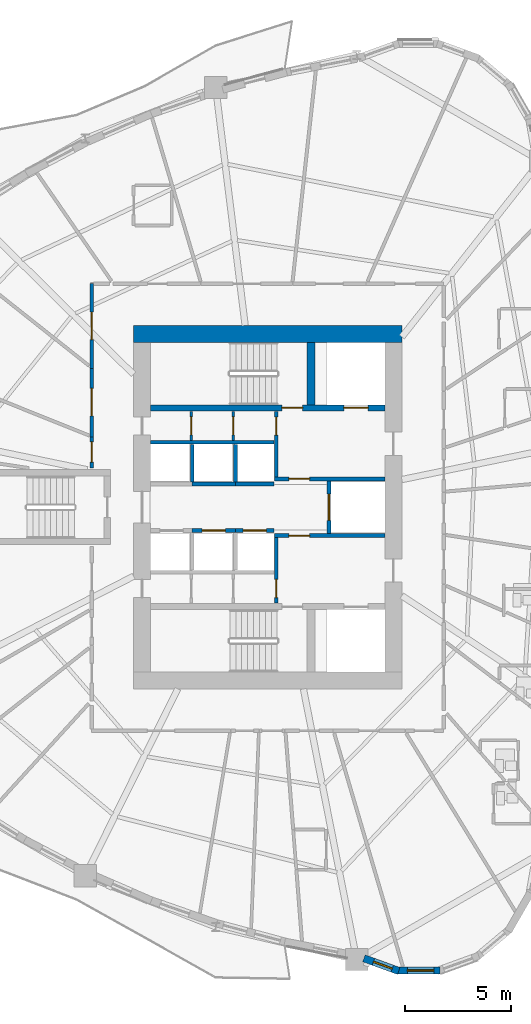
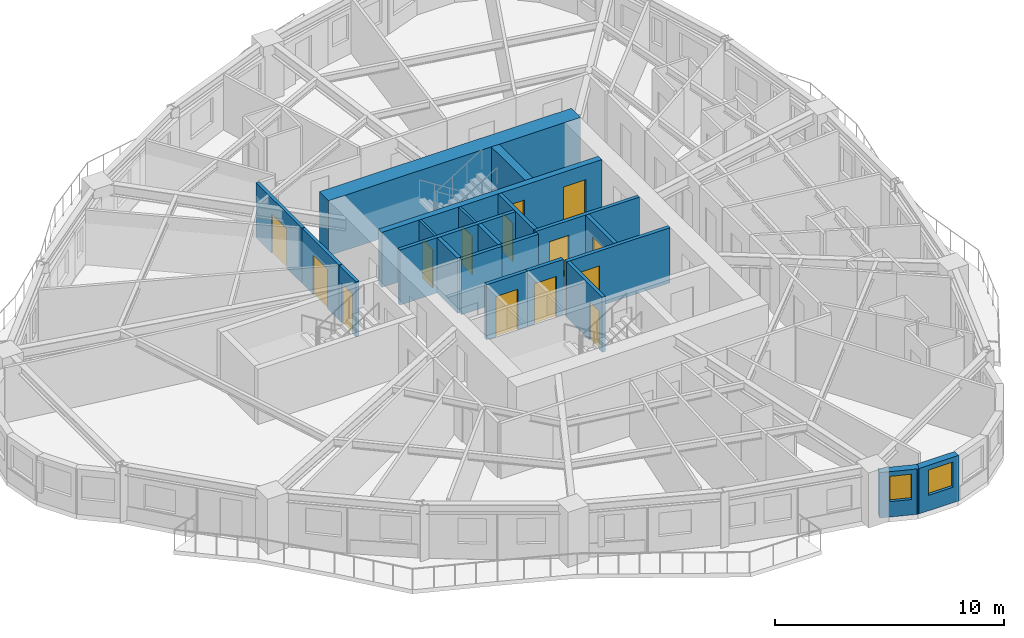
# One storey, part 5 of 13: 22 walls, 14 doors, 2 windows, 16 openings.
"""IFC4 building model written with IfcOpenShell, lengths in metres."""

from ifc_helpers import new_model, si_unit, direction, frame, frame_2d, origin, place, context, subcontext, project, spatial, rectangle, extrude, source, transform, mapped, material, layer, layer_set, type_object, element, fill, save


model = new_model("IFC4")

# Units and contexts
model_context = context("Model", 3, precision=1e-05, world=origin(), true_north=direction((0.0, 1.0)))
body_context = subcontext(model_context, "Body", "Model", "MODEL_VIEW")
ifc_project = project(units=[si_unit("LENGTHUNIT", "METRE"), si_unit("AREAUNIT", "SQUARE_METRE"), si_unit("VOLUMEUNIT", "CUBIC_METRE"), si_unit("PLANEANGLEUNIT", "RADIAN"), si_unit("MASSUNIT", "GRAM", prefix="KILO")], contexts=[model_context])

# Site, building, storey
site_placement = place(None, origin())
site = spatial("IfcSite", under=ifc_project, at=site_placement, CompositionType="ELEMENT")
building_placement = place(site_placement, origin())
building = spatial("IfcBuilding", under=site, at=building_placement, Name="Qafzar Sky-Pleat Residences", CompositionType="ELEMENT")
storey_placement = place(building_placement, frame((0.0, 0.0, 59.0)))
storey = spatial("IfcBuildingStorey", under=building, at=storey_placement, Name="L17", CompositionType="ELEMENT", Elevation=59.0)

# Wall, opening, door
ifc_material_1 = material(Name="Acoustic gypsum plasterboard partition", Category="gypsum")
ifc_layer_1 = layer(ifc_material_1, 0.159912109375)
ifc_layer_set_1 = layer_set([ifc_layer_1], Name="Acoustic gypsum plasterboard partition")
wall_type_1 = type_object("IfcWallType", Name="PART-COR-160", PredefinedType="PARTITIONING", material=ifc_layer_set_1)
wall_1_placement = place(storey_placement, frame((22.02001953125, 32.577880859375, 0.0), z_axis=(0.0, 0.0, 1.0), x_axis=(0.0, 1.0, 0.0)))
wall_1 = element("IfcWall", 1, at=wall_1_placement, inside=storey, type_object=wall_type_1, Name="L17 Partition Wall PART-L17-PW-004", PredefinedType="PARTITIONING", context=body_context, shape_type="SweptSolid", body=[
    extrude(rectangle(XDim=4.002197265625, YDim=0.159912109375, at=frame_2d((2.0009765625, 0.0))), origin(), (0.0, 0.0, 1.0), 2.93994140625),
])
opening_1_placement = place(wall_1_placement, frame((1.360595703125, 0.0, 0.0)))
opening_1 = element("IfcOpeningElement", 2, at=opening_1_placement, cuts=wall_1, Name="Opening ID-05", PredefinedType="OPENING", context=body_context, shape_type="SweptSolid", body=[
    extrude(rectangle(XDim=1.300048828125, YDim=2.10009765625, at=frame_2d((0.64990234375, 1.050048828125))), frame((0.0, 0.08984375, 0.0), z_axis=(0.0, -1.0, 0.0), x_axis=(1.0, 0.0, 0.0)), (0.0, 0.0, 1.0), 0.179931640625),
])
ifc_material_2 = material(Name="Timber-faced fire door", Category="wood")
door_type_1 = type_object("IfcDoorType", Name="DR-LNG-1300", OperationType="DOUBLE_DOOR_SINGLE_SWING", PredefinedType="DOOR", material=ifc_material_2)
shared_shape_1 = source(origin(), body_context, "Body", "SweptSolid", [
    extrude(rectangle(XDim=1.300048828125, YDim=2.10009765625, at=frame_2d((0.64990234375, 1.050048828125))), frame((0.0, 0.02490234375, 0.0), z_axis=(0.0, -1.0, 0.0), x_axis=(1.0, 0.0, 0.0)), (0.0, 0.0, 1.0), 0.050048828125),
])
door_1_placement = place(opening_1_placement, origin())
door_1 = element("IfcDoor", 3, at=door_1_placement, inside=storey, type_object=door_type_1, Name="L17 Communal Kitchen Door", OperationType="DOUBLE_DOOR_SINGLE_SWING", OverallHeight=2.10009765625, OverallWidth=1.300048828125, PredefinedType="DOOR", context=body_context, shape_type="MappedRepresentation", body=[
    mapped(shared_shape_1, transform((0.0, 0.0, 0.0), x_axis=(1.0, 0.0, 0.0), y_axis=(0.0, 1.0, 0.0), z_axis=(0.0, 0.0, 1.0), scale=1.0)),
])
fill(opening_1, door_1)

wall_2_placement = place(storey_placement, frame((22.02001953125, 29.327880859375, 0.0), z_axis=(0.0, 0.0, 1.0), x_axis=(0.0, 1.0, 0.0)))
wall_2 = element("IfcWall", 4, at=wall_2_placement, inside=storey, type_object=wall_type_1, Name="L17 Partition Wall PART-L17-PW-010", PredefinedType="PARTITIONING", context=body_context, shape_type="SweptSolid", body=[
    extrude(rectangle(XDim=3.235107421875, YDim=0.159912109375, at=frame_2d((1.61767578125, 0.0))), origin(), (0.0, 0.0, 1.0), 2.93994140625),
])
opening_2_placement = place(wall_2_placement, frame((0.992431640625, 0.0, 0.0)))
opening_2 = element("IfcOpeningElement", 5, at=opening_2_placement, cuts=wall_2, Name="Opening ID-05", PredefinedType="OPENING", context=body_context, shape_type="SweptSolid", body=[
    extrude(rectangle(XDim=1.300048828125, YDim=2.10009765625, at=frame_2d((0.64990234375, 1.050048828125))), frame((0.0, 0.08984375, 0.0), z_axis=(0.0, -1.0, 0.0), x_axis=(1.0, 0.0, 0.0)), (0.0, 0.0, 1.0), 0.179931640625),
])
door_2_placement = place(opening_2_placement, origin())
door_2 = element("IfcDoor", 6, at=door_2_placement, inside=storey, type_object=door_type_1, Name="L17 Co-Living Lounge Door", OperationType="DOUBLE_DOOR_SINGLE_SWING", OverallHeight=2.10009765625, OverallWidth=1.300048828125, PredefinedType="DOOR", context=body_context, shape_type="MappedRepresentation", body=[
    mapped(shared_shape_1, transform((0.0, 0.0, 0.0), x_axis=(1.0, 0.0, 0.0), y_axis=(0.0, 1.0, 0.0), z_axis=(0.0, 0.0, 1.0), scale=1.0)),
])
fill(opening_2, door_2)

wall_3_placement = place(storey_placement, frame((22.02001953125, 27.85009765625, 0.0), z_axis=(0.0, 0.0, 1.0), x_axis=(0.0, 1.0, 0.0)))
wall_3 = element("IfcWall", 7, at=wall_3_placement, inside=storey, type_object=wall_type_1, Name="L17 Partition Wall PART-L17-PW-029", PredefinedType="PARTITIONING", context=body_context, shape_type="SweptSolid", body=[
    extrude(rectangle(XDim=1.462890625, YDim=0.159912109375, at=frame_2d((0.7314453125, 0.0))), origin(), (0.0, 0.0, 1.0), 2.93994140625),
])
opening_3_placement = place(wall_3_placement, frame((0.282958984375, 0.0, 0.0)))
opening_3 = element("IfcOpeningElement", 8, at=opening_3_placement, cuts=wall_3, Name="Opening ID-06", PredefinedType="OPENING", context=body_context, shape_type="SweptSolid", body=[
    extrude(rectangle(XDim=0.9599609375, YDim=2.10009765625, at=frame_2d((0.47998046875, 1.050048828125))), frame((0.0, 0.08984375, 0.0), z_axis=(0.0, -1.0, 0.0), x_axis=(1.0, 0.0, 0.0)), (0.0, 0.0, 1.0), 0.179931640625),
])
door_type_2 = type_object("IfcDoorType", Name="DR-STD-960", OperationType="NOTDEFINED", PredefinedType="DOOR", material=ifc_material_2)
shared_shape_2 = source(origin(), body_context, "Body", "SweptSolid", [
    extrude(rectangle(XDim=0.9599609375, YDim=2.10009765625, at=frame_2d((0.47998046875, 1.050048828125))), frame((0.0, 0.02490234375, 0.0), z_axis=(0.0, -1.0, 0.0), x_axis=(1.0, 0.0, 0.0)), (0.0, 0.0, 1.0), 0.050048828125),
])
door_3_placement = place(opening_3_placement, origin())
door_3 = element("IfcDoor", 9, at=door_3_placement, inside=storey, type_object=door_type_2, Name="L17 Faculty Research Office Door", OperationType="SINGLE_SWING_LEFT", OverallHeight=2.10009765625, OverallWidth=0.9599609375, PredefinedType="DOOR", context=body_context, shape_type="MappedRepresentation", body=[
    mapped(shared_shape_2, transform((0.0, 0.0, 0.0), x_axis=(1.0, 0.0, 0.0), y_axis=(0.0, 1.0, 0.0), z_axis=(0.0, 0.0, 1.0), scale=1.0)),
])
fill(opening_3, door_3)

ifc_material_3 = material(Name="Concrete blockwork partition", Category="masonry")
ifc_layer_2 = layer(ifc_material_3, 0.179931640625)
ifc_layer_set_2 = layer_set([ifc_layer_2], Name="Concrete blockwork partition")
wall_type_2 = type_object("IfcWallType", Name="PART-SHAFT-180", PredefinedType="PARTITIONING", material=ifc_layer_set_2)
wall_4_placement = place(storey_placement, frame((30.75, 21.4599609375, 0.0), z_axis=(0.0, 0.0, 1.0), x_axis=(0.0, 1.0, 0.0)))
wall_4 = element("IfcWall", 10, at=wall_4_placement, inside=storey, type_object=wall_type_2, Name="L17 Partition Wall PART-L17-FFL1-W", PredefinedType="PARTITIONING", context=body_context, shape_type="SweptSolid", body=[
    extrude(rectangle(XDim=3.110107421875, YDim=0.179931640625, at=frame_2d((1.55517578125, 0.0))), origin(), (0.0, 0.0, 1.0), 2.93994140625),
])
opening_4_placement = place(wall_4_placement, frame((0.260009765625, 0.0, 0.0)))
opening_4 = element("IfcOpeningElement", 11, at=opening_4_placement, cuts=wall_4, Name="Opening ID-09", PredefinedType="OPENING", context=body_context, shape_type="SweptSolid", body=[
    extrude(rectangle(XDim=0.860107421875, YDim=2.050048828125, at=frame_2d((0.43017578125, 1.02490234375))), frame((0.0, 0.10009765625, 0.0), z_axis=(0.0, -1.0, 0.0), x_axis=(1.0, 0.0, 0.0)), (0.0, 0.0, 1.0), 0.199951171875),
])
door_type_3 = type_object("IfcDoorType", Name="DR-SVC-860", OperationType="NOTDEFINED", PredefinedType="DOOR", material=ifc_material_2)
shared_shape_3 = source(origin(), body_context, "Body", "SweptSolid", [
    extrude(rectangle(XDim=0.860107421875, YDim=2.050048828125, at=frame_2d((0.43017578125, 1.02490234375))), frame((0.0, 0.02490234375, 0.0), z_axis=(0.0, -1.0, 0.0), x_axis=(1.0, 0.0, 0.0)), (0.0, 0.0, 1.0), 0.050048828125),
])
door_4_placement = place(opening_4_placement, origin())
door_4 = element("IfcDoor", 12, at=door_4_placement, inside=storey, type_object=door_type_3, Name="L17 South Core Cupboard Door", OperationType="SINGLE_SWING_LEFT", OverallHeight=2.050048828125, OverallWidth=0.860107421875, PredefinedType="DOOR", context=body_context, shape_type="MappedRepresentation", body=[
    mapped(shared_shape_3, transform((0.0, 0.0, 0.0), x_axis=(1.0, 0.0, 0.0), y_axis=(0.0, 1.0, 0.0), z_axis=(0.0, 0.0, 1.0), scale=1.0)),
])
fill(opening_4, door_4)

wall_5_placement = place(storey_placement, frame((30.669921875, 24.659912109375, 0.0), z_axis=(0.0, 0.0, 1.0), x_axis=(1.0, 0.0, 0.0)))
wall_5 = element("IfcWall", 13, at=wall_5_placement, inside=storey, type_object=wall_type_2, Name="L17 Partition Wall PART-L17-FFL1-N", PredefinedType="PARTITIONING", context=body_context, shape_type="SweptSolid", body=[
    extrude(rectangle(XDim=5.219970703125, YDim=0.179931640625, at=frame_2d((2.60986328125, 0.0))), origin(), (0.0, 0.0, 1.0), 2.93994140625),
])
opening_5_placement = place(wall_5_placement, frame((0.679931640625, 0.0, 0.0)))
opening_5 = element("IfcOpeningElement", 14, at=opening_5_placement, cuts=wall_5, Name="Opening ID-01", PredefinedType="OPENING", context=body_context, shape_type="SweptSolid", body=[
    extrude(rectangle(XDim=0.97998046875, YDim=2.14990234375, at=frame_2d((0.489990234375, 1.074951171875))), frame((0.0, 0.10009765625, 0.0), z_axis=(0.0, -1.0, 0.0), x_axis=(1.0, 0.0, 0.0)), (0.0, 0.0, 1.0), 0.199951171875),
])
door_type_4 = type_object("IfcDoorType", Name="DR-STAIR-980", OperationType="NOTDEFINED", PredefinedType="DOOR", material=ifc_material_2)
shared_shape_4 = source(origin(), body_context, "Body", "SweptSolid", [
    extrude(rectangle(XDim=0.97998046875, YDim=2.14990234375, at=frame_2d((0.489990234375, 1.074951171875))), frame((0.0, 0.02490234375, 0.0), z_axis=(0.0, -1.0, 0.0), x_axis=(1.0, 0.0, 0.0)), (0.0, 0.0, 1.0), 0.050048828125),
])
door_5_placement = place(opening_5_placement, origin())
door_5 = element("IfcDoor", 15, at=door_5_placement, inside=storey, type_object=door_type_4, Name="L17 Lift Lobby to South Firefighting Lobby Door", OperationType="SINGLE_SWING_RIGHT", OverallHeight=2.14990234375, OverallWidth=0.97998046875, PredefinedType="DOOR", context=body_context, shape_type="MappedRepresentation", body=[
    mapped(shared_shape_4, transform((0.0, 0.0, 0.0), x_axis=(1.0, 0.0, 0.0), y_axis=(0.0, 1.0, 0.0), z_axis=(0.0, 0.0, 1.0), scale=1.0)),
])
fill(opening_5, door_5)

wall_6_placement = place(storey_placement, frame((30.75, 27.429931640625, 0.0), z_axis=(0.0, 0.0, 1.0), x_axis=(0.0, 1.0, 0.0)))
wall_6 = element("IfcWall", 16, at=wall_6_placement, inside=storey, type_object=wall_type_2, Name="L17 Partition Wall PART-L17-FFL2-W", PredefinedType="PARTITIONING", context=body_context, shape_type="SweptSolid", body=[
    extrude(rectangle(XDim=3.110107421875, YDim=0.179931640625, at=frame_2d((1.55517578125, 0.0))), origin(), (0.0, 0.0, 1.0), 2.93994140625),
])
opening_6_placement = place(wall_6_placement, frame((1.97998046875, 0.0, 0.0)))
opening_6 = element("IfcOpeningElement", 17, at=opening_6_placement, cuts=wall_6, Name="Opening ID-09", PredefinedType="OPENING", context=body_context, shape_type="SweptSolid", body=[
    extrude(rectangle(XDim=0.860107421875, YDim=2.050048828125, at=frame_2d((0.43017578125, 1.02490234375))), frame((0.0, 0.10009765625, 0.0), z_axis=(0.0, -1.0, 0.0), x_axis=(1.0, 0.0, 0.0)), (0.0, 0.0, 1.0), 0.199951171875),
])
door_6_placement = place(opening_6_placement, origin())
door_6 = element("IfcDoor", 18, at=door_6_placement, inside=storey, type_object=door_type_3, Name="L17 North Core Cupboard Door", OperationType="SINGLE_SWING_LEFT", OverallHeight=2.050048828125, OverallWidth=0.860107421875, PredefinedType="DOOR", context=body_context, shape_type="MappedRepresentation", body=[
    mapped(shared_shape_3, transform((0.0, 0.0, 0.0), x_axis=(1.0, 0.0, 0.0), y_axis=(0.0, 1.0, 0.0), z_axis=(0.0, 0.0, 1.0), scale=1.0)),
])
fill(opening_6, door_6)

wall_7_placement = place(storey_placement, frame((30.669921875, 27.340087890625, 0.0), z_axis=(0.0, 0.0, 1.0), x_axis=(1.0, 0.0, 0.0)))
wall_7 = element("IfcWall", 19, at=wall_7_placement, inside=storey, type_object=wall_type_2, Name="L17 Partition Wall PART-L17-FFL2-S", PredefinedType="PARTITIONING", context=body_context, shape_type="SweptSolid", body=[
    extrude(rectangle(XDim=5.219970703125, YDim=0.179931640625, at=frame_2d((2.60986328125, 0.0))), origin(), (0.0, 0.0, 1.0), 2.93994140625),
])
opening_7_placement = place(wall_7_placement, frame((0.679931640625, 0.0, 0.0)))
opening_7 = element("IfcOpeningElement", 20, at=opening_7_placement, cuts=wall_7, Name="Opening ID-01", PredefinedType="OPENING", context=body_context, shape_type="SweptSolid", body=[
    extrude(rectangle(XDim=0.97998046875, YDim=2.14990234375, at=frame_2d((0.489990234375, 1.074951171875))), frame((0.0, 0.10009765625, 0.0), z_axis=(0.0, -1.0, 0.0), x_axis=(1.0, 0.0, 0.0)), (0.0, 0.0, 1.0), 0.199951171875),
])
door_7_placement = place(opening_7_placement, origin())
door_7 = element("IfcDoor", 21, at=door_7_placement, inside=storey, type_object=door_type_4, Name="L17 Lift Lobby to North Firefighting Lobby Door", OperationType="SINGLE_SWING_RIGHT", OverallHeight=2.14990234375, OverallWidth=0.97998046875, PredefinedType="DOOR", context=body_context, shape_type="MappedRepresentation", body=[
    mapped(shared_shape_4, transform((0.0, 0.0, 0.0), x_axis=(1.0, 0.0, 0.0), y_axis=(0.0, 1.0, 0.0), z_axis=(0.0, 0.0, 1.0), scale=1.0)),
])
fill(opening_7, door_7)

wall_8_placement = place(storey_placement, frame((33.25, 24.760009765625, 0.0), z_axis=(0.0, 0.0, 1.0), x_axis=(0.0, 1.0, 0.0)))
wall_8 = element("IfcWall", 22, at=wall_8_placement, inside=storey, type_object=wall_type_2, Name="L17 Partition Wall PART-L17-SV1-W", PredefinedType="PARTITIONING", context=body_context, shape_type="SweptSolid", body=[
    extrude(rectangle(XDim=2.47998046875, YDim=0.179931640625, at=frame_2d((1.239990234375, 0.0))), origin(), (0.0, 0.0, 1.0), 2.93994140625),
])
opening_8_placement = place(wall_8_placement, frame((0.614990234375, 0.0, 0.0)))
opening_8 = element("IfcOpeningElement", 23, at=opening_8_placement, cuts=wall_8, Name="Opening LD-03", PredefinedType="OPENING", context=body_context, shape_type="SweptSolid", body=[
    extrude(rectangle(XDim=1.25, YDim=2.14990234375, at=frame_2d((0.625, 1.074951171875))), frame((0.0, 0.10009765625, 0.0), z_axis=(0.0, -1.0, 0.0), x_axis=(1.0, 0.0, 0.0)), (0.0, 0.0, 1.0), 0.199951171875),
])
ifc_material_4 = material(Name="Stainless steel sliding landing door", Category="steel")
door_type_5 = type_object("IfcDoorType", Name="DR-LIFT-SV", OperationType="DOUBLE_DOOR_SLIDING", PredefinedType="DOOR", material=ifc_material_4)
shared_shape_5 = source(origin(), body_context, "Body", "SweptSolid", [
    extrude(rectangle(XDim=1.25, YDim=2.14990234375, at=frame_2d((0.625, 1.074951171875))), frame((0.0, 0.02490234375, 0.0), z_axis=(0.0, -1.0, 0.0), x_axis=(1.0, 0.0, 0.0)), (0.0, 0.0, 1.0), 0.050048828125),
])
door_8_placement = place(opening_8_placement, origin())
door_8 = element("IfcDoor", 24, at=door_8_placement, inside=storey, type_object=door_type_5, Name="L17 Service Lift SV1 Landing Door", OperationType="DOUBLE_DOOR_SLIDING", OverallHeight=2.14990234375, OverallWidth=1.25, PredefinedType="DOOR", context=body_context, shape_type="MappedRepresentation", body=[
    mapped(shared_shape_5, transform((0.0, 0.0, 0.0), x_axis=(1.0, 0.0, 0.0), y_axis=(0.0, 1.0, 0.0), z_axis=(0.0, 0.0, 1.0), scale=1.0)),
])
fill(opening_8, door_8)

wall_9_placement = place(storey_placement, frame((26.77490234375, 24.89990234375, 0.0), z_axis=(0.0, 0.0, 1.0), x_axis=(1.0, 0.0, 0.0)))
wall_9 = element("IfcWall", 25, at=wall_9_placement, inside=storey, type_object=wall_type_2, Name="L17 Partition Wall PART-L17-P2-N", PredefinedType="PARTITIONING", context=body_context, shape_type="SweptSolid", body=[
    extrude(rectangle(XDim=2.050048828125, YDim=0.179931640625, at=frame_2d((1.02490234375, 0.0))), origin(), (0.0, 0.0, 1.0), 2.93994140625),
])
opening_9_placement = place(wall_9_placement, frame((0.47509765625, 0.0, 0.0)))
opening_9 = element("IfcOpeningElement", 26, at=opening_9_placement, cuts=wall_9, Name="Opening LD-01", PredefinedType="OPENING", context=body_context, shape_type="SweptSolid", body=[
    extrude(rectangle(XDim=1.10009765625, YDim=2.14990234375, at=frame_2d((0.550048828125, 1.074951171875))), frame((0.0, 0.10009765625, 0.0), z_axis=(0.0, -1.0, 0.0), x_axis=(1.0, 0.0, 0.0)), (0.0, 0.0, 1.0), 0.199951171875),
])
door_type_6 = type_object("IfcDoorType", Name="DR-LIFT-P", OperationType="DOUBLE_DOOR_SLIDING", PredefinedType="DOOR", material=ifc_material_4)
shared_shape_6 = source(origin(), body_context, "Body", "SweptSolid", [
    extrude(rectangle(XDim=1.10009765625, YDim=2.14990234375, at=frame_2d((0.550048828125, 1.074951171875))), frame((0.0, 0.02490234375, 0.0), z_axis=(0.0, -1.0, 0.0), x_axis=(1.0, 0.0, 0.0)), (0.0, 0.0, 1.0), 0.050048828125),
])
door_9_placement = place(opening_9_placement, origin())
door_9 = element("IfcDoor", 27, at=door_9_placement, inside=storey, type_object=door_type_6, Name="L17 Passenger Lift P2 Landing Door", OperationType="DOUBLE_DOOR_SLIDING", OverallHeight=2.14990234375, OverallWidth=1.10009765625, PredefinedType="DOOR", context=body_context, shape_type="MappedRepresentation", body=[
    mapped(shared_shape_6, transform((0.0, 0.0, 0.0), x_axis=(1.0, 0.0, 0.0), y_axis=(0.0, 1.0, 0.0), z_axis=(0.0, 0.0, 1.0), scale=1.0)),
])
fill(opening_9, door_9)

wall_10_placement = place(storey_placement, frame((28.824951171875, 24.89990234375, 0.0), z_axis=(0.0, 0.0, 1.0), x_axis=(1.0, 0.0, 0.0)))
wall_10 = element("IfcWall", 28, at=wall_10_placement, inside=storey, type_object=wall_type_2, Name="L17 Partition Wall PART-L17-P3-N", PredefinedType="PARTITIONING", context=body_context, shape_type="SweptSolid", body=[
    extrude(rectangle(XDim=1.824951171875, YDim=0.179931640625, at=frame_2d((0.91259765625, 0.0))), origin(), (0.0, 0.0, 1.0), 2.93994140625),
])
opening_10_placement = place(wall_10_placement, frame((0.362548828125, 0.0, 0.0)))
opening_10 = element("IfcOpeningElement", 29, at=opening_10_placement, cuts=wall_10, Name="Opening LD-01", PredefinedType="OPENING", context=body_context, shape_type="SweptSolid", body=[
    extrude(rectangle(XDim=1.10009765625, YDim=2.14990234375, at=frame_2d((0.550048828125, 1.074951171875))), frame((0.0, 0.10009765625, 0.0), z_axis=(0.0, -1.0, 0.0), x_axis=(1.0, 0.0, 0.0)), (0.0, 0.0, 1.0), 0.199951171875),
])
door_10_placement = place(opening_10_placement, origin())
door_10 = element("IfcDoor", 30, at=door_10_placement, inside=storey, type_object=door_type_6, Name="L17 Passenger Lift P3 Landing Door", OperationType="DOUBLE_DOOR_SLIDING", OverallHeight=2.14990234375, OverallWidth=1.10009765625, PredefinedType="DOOR", context=body_context, shape_type="MappedRepresentation", body=[
    mapped(shared_shape_6, transform((0.0, 0.0, 0.0), x_axis=(1.0, 0.0, 0.0), y_axis=(0.0, 1.0, 0.0), z_axis=(0.0, 0.0, 1.0), scale=1.0)),
])
fill(opening_10, door_10)

# Walls
wall_11_placement = place(storey_placement, frame((24.81005859375, 29.080078125, 0.0), z_axis=(0.0, 0.0, 1.0), x_axis=(1.0, 0.0, 0.0)))
element("IfcWall", 31, at=wall_11_placement, inside=storey, type_object=wall_type_2, Name="L17 Partition Wall PART-L17-P46-N", PredefinedType="PARTITIONING", context=body_context, shape_type="SweptSolid", body=[
    extrude(rectangle(XDim=5.83984375, YDim=0.179931640625, at=frame_2d((2.919921875, 0.0))), origin(), (0.0, 0.0, 1.0), 2.93994140625),
])
wall_12_placement = place(storey_placement, frame((26.77490234375, 27.10009765625, 0.0), z_axis=(0.0, 0.0, 1.0), x_axis=(1.0, 0.0, 0.0)))
element("IfcWall", 32, at=wall_12_placement, inside=storey, type_object=wall_type_2, Name="L17 Partition Wall PART-L17-P5-S", PredefinedType="PARTITIONING", context=body_context, shape_type="SweptSolid", body=[
    extrude(rectangle(XDim=2.050048828125, YDim=0.179931640625, at=frame_2d((1.02490234375, 0.0))), origin(), (0.0, 0.0, 1.0), 2.93994140625),
])
wall_13_placement = place(storey_placement, frame((26.77490234375, 27.199951171875, 0.0), z_axis=(0.0, 0.0, 1.0), x_axis=(0.0, 1.0, 0.0)))
element("IfcWall", 33, at=wall_13_placement, inside=storey, type_object=wall_type_2, Name="L17 Partition Wall PART-L17-P46-DIV-1", PredefinedType="PARTITIONING", context=body_context, shape_type="SweptSolid", body=[
    extrude(rectangle(XDim=1.780029296875, YDim=0.179931640625, at=frame_2d((0.89013671875, 0.0))), origin(), (0.0, 0.0, 1.0), 2.93994140625),
])
wall_14_placement = place(storey_placement, frame((28.824951171875, 27.10009765625, 0.0), z_axis=(0.0, 0.0, 1.0), x_axis=(1.0, 0.0, 0.0)))
element("IfcWall", 34, at=wall_14_placement, inside=storey, type_object=wall_type_2, Name="L17 Partition Wall PART-L17-P6-S", PredefinedType="PARTITIONING", context=body_context, shape_type="SweptSolid", body=[
    extrude(rectangle(XDim=1.824951171875, YDim=0.179931640625, at=frame_2d((0.91259765625, 0.0))), origin(), (0.0, 0.0, 1.0), 2.93994140625),
])
wall_15_placement = place(storey_placement, frame((28.824951171875, 27.199951171875, 0.0), z_axis=(0.0, 0.0, 1.0), x_axis=(0.0, 1.0, 0.0)))
element("IfcWall", 35, at=wall_15_placement, inside=storey, type_object=wall_type_2, Name="L17 Partition Wall PART-L17-P46-DIV-2", PredefinedType="PARTITIONING", context=body_context, shape_type="SweptSolid", body=[
    extrude(rectangle(XDim=1.780029296875, YDim=0.179931640625, at=frame_2d((0.89013671875, 0.0))), origin(), (0.0, 0.0, 1.0), 2.93994140625),
])

# Wall, opening, door
ifc_material_5 = material(Name="Gypsum plasterboard partition", Category="gypsum")
ifc_layer_3 = layer(ifc_material_5, 0.114990234375)
ifc_layer_set_3 = layer_set([ifc_layer_3], Name="Gypsum plasterboard partition")
wall_type_3 = type_object("IfcWallType", Name="PART-SVC-115", PredefinedType="PARTITIONING", material=ifc_layer_set_3)
wall_16_placement = place(storey_placement, frame((26.72509765625, 29.159912109375, 0.0), z_axis=(0.0, 0.0, 1.0), x_axis=(0.0, 1.0, 0.0)))
wall_16 = element("IfcWall", 36, at=wall_16_placement, inside=storey, type_object=wall_type_3, Name="L17 Partition Wall PART-L17-KC-NW-1", PredefinedType="PARTITIONING", context=body_context, shape_type="SweptSolid", body=[
    extrude(rectangle(XDim=1.380126953125, YDim=0.114990234375, at=frame_2d((0.68994140625, 0.0))), origin(), (0.0, 0.0, 1.0), 2.93994140625),
])
opening_11_placement = place(wall_16_placement, frame((0.260009765625, 0.0, 0.0)))
opening_11 = element("IfcOpeningElement", 37, at=opening_11_placement, cuts=wall_16, Name="Opening ID-09", PredefinedType="OPENING", context=body_context, shape_type="SweptSolid", body=[
    extrude(rectangle(XDim=0.860107421875, YDim=2.050048828125, at=frame_2d((0.43017578125, 1.02490234375))), frame((0.0, 0.0673828125, 0.0), z_axis=(0.0, -1.0, 0.0), x_axis=(1.0, 0.0, 0.0)), (0.0, 0.0, 1.0), 0.135009765625),
])
door_11_placement = place(opening_11_placement, origin())
door_11 = element("IfcDoor", 38, at=door_11_placement, inside=storey, type_object=door_type_3, Name="L17 Core North Cupboard 1 Door", OperationType="SINGLE_SWING_RIGHT", OverallHeight=2.050048828125, OverallWidth=0.860107421875, PredefinedType="DOOR", context=body_context, shape_type="MappedRepresentation", body=[
    mapped(shared_shape_3, transform((0.0, 0.0, 0.0), x_axis=(1.0, 0.0, 0.0), y_axis=(0.0, 1.0, 0.0), z_axis=(0.0, 0.0, 1.0), scale=1.0)),
])
fill(opening_11, door_11)

wall_17_placement = place(storey_placement, frame((28.72509765625, 29.159912109375, 0.0), z_axis=(0.0, 0.0, 1.0), x_axis=(0.0, 1.0, 0.0)))
wall_17 = element("IfcWall", 39, at=wall_17_placement, inside=storey, type_object=wall_type_3, Name="L17 Partition Wall PART-L17-KC-NW-2", PredefinedType="PARTITIONING", context=body_context, shape_type="SweptSolid", body=[
    extrude(rectangle(XDim=1.380126953125, YDim=0.114990234375, at=frame_2d((0.68994140625, 0.0))), origin(), (0.0, 0.0, 1.0), 2.93994140625),
])
opening_12_placement = place(wall_17_placement, frame((0.260009765625, 0.0, 0.0)))
opening_12 = element("IfcOpeningElement", 40, at=opening_12_placement, cuts=wall_17, Name="Opening ID-09", PredefinedType="OPENING", context=body_context, shape_type="SweptSolid", body=[
    extrude(rectangle(XDim=0.860107421875, YDim=2.050048828125, at=frame_2d((0.43017578125, 1.02490234375))), frame((0.0, 0.0673828125, 0.0), z_axis=(0.0, -1.0, 0.0), x_axis=(1.0, 0.0, 0.0)), (0.0, 0.0, 1.0), 0.135009765625),
])
door_12_placement = place(opening_12_placement, origin())
door_12 = element("IfcDoor", 41, at=door_12_placement, inside=storey, type_object=door_type_3, Name="L17 Core North Cupboard 2 Door", OperationType="SINGLE_SWING_RIGHT", OverallHeight=2.050048828125, OverallWidth=0.860107421875, PredefinedType="DOOR", context=body_context, shape_type="MappedRepresentation", body=[
    mapped(shared_shape_3, transform((0.0, 0.0, 0.0), x_axis=(1.0, 0.0, 0.0), y_axis=(0.0, 1.0, 0.0), z_axis=(0.0, 0.0, 1.0), scale=1.0)),
])
fill(opening_12, door_12)

# Wall, opening, window
ifc_material_6 = material(Name="Precast concrete C40/50 with honed Riyadh limestone", Category="concrete")
ifc_layer_4 = layer(ifc_material_6, 0.35009765625)
ifc_layer_set_4 = layer_set([ifc_layer_4], Name="Precast concrete C40/50 with honed Riyadh limestone")
wall_type_4 = type_object("IfcWallType", Name="WALL-EXT-350", PredefinedType="SOLIDWALL", material=ifc_layer_set_4)
wall_18_placement = place(storey_placement, frame((34.904296875, 4.6494140625, 0.0), z_axis=(0.0, 0.0, 1.0), x_axis=(0.939675390388, -0.342067479745, 0.0)))
wall_18 = element("IfcWall", 42, at=wall_18_placement, inside=storey, type_object=wall_type_4, Name="L17 Limestone Facade Wall 17", PredefinedType="SOLIDWALL", context=body_context, shape_type="SweptSolid", body=[
    extrude(rectangle(XDim=1.752197265625, YDim=0.35009765625, at=frame_2d((0.8759765625, 0.0))), origin(), (0.0, 0.0, 1.0), 2.419921875),
])
opening_13_placement = place(wall_18_placement, frame((0.47607421875, 0.0, 0.820068359375)))
opening_13 = element("IfcOpeningElement", 43, at=opening_13_placement, cuts=wall_18, Name="Opening WN-12", PredefinedType="OPENING", context=body_context, shape_type="SweptSolid", body=[
    extrude(rectangle(XDim=0.949951171875, YDim=1.35009765625, at=frame_2d((0.47509765625, 0.675048828125))), frame((0.0, 0.18505859375, 0.0), z_axis=(0.0, -1.0, 0.0), x_axis=(1.0, 0.0, 0.0)), (0.0, 0.0, 1.0), 0.3701171875),
])
ifc_material_7 = material(Name="Solar-control low-E glass in bronze aluminium frame", Category="glass")
window_type_1 = type_object("IfcWindowType", Name="WIN-12", PartitioningType="SINGLE_PANEL", PredefinedType="WINDOW", material=ifc_material_7)
shared_shape_7 = source(origin(), body_context, "Body", "SweptSolid", [
    extrude(rectangle(XDim=0.949951171875, YDim=1.35009765625, at=frame_2d((0.47509765625, 0.675048828125))), frame((0.0, 0.030029296875, 0.0), z_axis=(0.0, -1.0, 0.0), x_axis=(1.0, 0.0, 0.0)), (0.0, 0.0, 1.0), 0.06005859375),
])
window_1_placement = place(opening_13_placement, origin())
window_1 = element("IfcWindow", 44, at=window_1_placement, inside=storey, type_object=window_type_1, Name="L17 Punched Facade Window 17", OverallHeight=1.35009765625, OverallWidth=0.949951171875, PartitioningType="SINGLE_PANEL", PredefinedType="WINDOW", context=body_context, shape_type="MappedRepresentation", body=[
    mapped(shared_shape_7, transform((0.0, 0.0, 0.0), x_axis=(1.0, 0.0, 0.0), y_axis=(0.0, 1.0, 0.0), z_axis=(0.0, 0.0, 1.0), scale=1.0)),
])
fill(opening_13, window_1)

wall_19_placement = place(storey_placement, frame((36.417236328125, 4.073486328125, 0.0), z_axis=(0.0, 0.0, 1.0), x_axis=(1.0, 0.0, 0.0)))
wall_19 = element("IfcWall", 45, at=wall_19_placement, inside=storey, type_object=wall_type_4, Name="L17 Limestone Facade Wall 18", PredefinedType="SOLIDWALL", context=body_context, shape_type="SweptSolid", body=[
    extrude(rectangle(XDim=2.090576171875, YDim=0.35009765625, at=frame_2d((1.04541015625, 0.0))), origin(), (0.0, 0.0, 1.0), 2.419921875),
])
opening_14_placement = place(wall_19_placement, frame((0.549072265625, 0.0, 0.820068359375)))
opening_14 = element("IfcOpeningElement", 46, at=opening_14_placement, cuts=wall_19, Name="Opening WN-11", PredefinedType="OPENING", context=body_context, shape_type="SweptSolid", body=[
    extrude(rectangle(XDim=1.25, YDim=1.35009765625, at=frame_2d((0.625, 0.675048828125))), frame((0.0, 0.18505859375, 0.0), z_axis=(0.0, -1.0, 0.0), x_axis=(1.0, 0.0, 0.0)), (0.0, 0.0, 1.0), 0.3701171875),
])
window_type_2 = type_object("IfcWindowType", Name="WIN-11", PartitioningType="SINGLE_PANEL", PredefinedType="WINDOW", material=ifc_material_7)
shared_shape_8 = source(origin(), body_context, "Body", "SweptSolid", [
    extrude(rectangle(XDim=1.25, YDim=1.35009765625, at=frame_2d((0.625, 0.675048828125))), frame((0.0, 0.030029296875, 0.0), z_axis=(0.0, -1.0, 0.0), x_axis=(1.0, 0.0, 0.0)), (0.0, 0.0, 1.0), 0.06005859375),
])
window_2_placement = place(opening_14_placement, origin())
window_2 = element("IfcWindow", 47, at=window_2_placement, inside=storey, type_object=window_type_2, Name="L17 Punched Facade Window 18", OverallHeight=1.35009765625, OverallWidth=1.25, PartitioningType="SINGLE_PANEL", PredefinedType="WINDOW", context=body_context, shape_type="MappedRepresentation", body=[
    mapped(shared_shape_8, transform((0.0, 0.0, 0.0), x_axis=(1.0, 0.0, 0.0), y_axis=(0.0, 1.0, 0.0), z_axis=(0.0, 0.0, 1.0), scale=1.0)),
])
fill(opening_14, window_2)

# Wall, openings, doors
ifc_material_8 = material(Name="Concrete C60/75", Category="concrete")
ifc_layer_5 = layer(ifc_material_8, 0.300048828125)
ifc_layer_set_5 = layer_set([ifc_layer_5], Name="Concrete C60/75")
wall_type_5 = type_object("IfcWallType", Name="WALL-SHEAR-300", PredefinedType="SHEAR", material=ifc_layer_set_5)
wall_20_placement = place(storey_placement, frame((24.800048828125, 30.699951171875, 0.0), z_axis=(0.0, 0.0, 1.0), x_axis=(1.0, 0.0, 0.0)))
wall_20 = element("IfcWall", 48, at=wall_20_placement, inside=storey, type_object=wall_type_5, Name="L17 Stair ST2 and FF2 Shaft South Wall", PredefinedType="SHEAR", context=body_context, shape_type="SweptSolid", body=[
    extrude(rectangle(XDim=11.099853515625, YDim=0.300048828125, at=frame_2d((5.5498046875, 0.0))), origin(), (0.0, 0.0, 1.0), 2.93994140625),
])
opening_15_placement = place(wall_20_placement, frame((6.219970703125, 0.0, 0.0)))
opening_15 = element("IfcOpeningElement", 49, at=opening_15_placement, cuts=wall_20, Name="Opening ID-01", PredefinedType="OPENING", context=body_context, shape_type="SweptSolid", body=[
    extrude(rectangle(XDim=0.97998046875, YDim=2.14990234375, at=frame_2d((0.489990234375, 1.074951171875))), frame((0.0, 0.16015625, 0.0), z_axis=(0.0, -1.0, 0.0), x_axis=(1.0, 0.0, 0.0)), (0.0, 0.0, 1.0), 0.320068359375),
])
opening_16_placement = place(wall_20_placement, frame((9.14990234375, 0.0, 0.0)))
opening_16 = element("IfcOpeningElement", 50, at=opening_16_placement, cuts=wall_20, Name="Opening LD-02", PredefinedType="OPENING", context=body_context, shape_type="SweptSolid", body=[
    extrude(rectangle(XDim=1.14990234375, YDim=2.14990234375, at=frame_2d((0.574951171875, 1.074951171875))), frame((0.0, 0.16015625, 0.0), z_axis=(0.0, -1.0, 0.0), x_axis=(1.0, 0.0, 0.0)), (0.0, 0.0, 1.0), 0.320068359375),
])
door_13_placement = place(opening_15_placement, origin())
door_13 = element("IfcDoor", 51, at=door_13_placement, inside=storey, type_object=door_type_4, Name="L17 Stair ST2 Fire Door", OperationType="SINGLE_SWING_LEFT", OverallHeight=2.14990234375, OverallWidth=0.97998046875, PredefinedType="DOOR", context=body_context, shape_type="MappedRepresentation", body=[
    mapped(shared_shape_4, transform((0.0, 0.0, 0.0), x_axis=(1.0, 0.0, 0.0), y_axis=(0.0, 1.0, 0.0), z_axis=(0.0, 0.0, 1.0), scale=1.0)),
])
fill(opening_15, door_13)
door_type_7 = type_object("IfcDoorType", Name="DR-LIFT-FF", OperationType="DOUBLE_DOOR_SLIDING", PredefinedType="DOOR", material=ifc_material_4)
shared_shape_9 = source(origin(), body_context, "Body", "SweptSolid", [
    extrude(rectangle(XDim=1.14990234375, YDim=2.14990234375, at=frame_2d((0.574951171875, 1.074951171875))), frame((0.0, 0.02490234375, 0.0), z_axis=(0.0, -1.0, 0.0), x_axis=(1.0, 0.0, 0.0)), (0.0, 0.0, 1.0), 0.050048828125),
])
door_14_placement = place(opening_16_placement, origin())
door_14 = element("IfcDoor", 52, at=door_14_placement, inside=storey, type_object=door_type_7, Name="L17 Firefighting Lift FF2 Landing Door", OperationType="DOUBLE_DOOR_SLIDING", OverallHeight=2.14990234375, OverallWidth=1.14990234375, PredefinedType="DOOR", context=body_context, shape_type="MappedRepresentation", body=[
    mapped(shared_shape_9, transform((0.0, 0.0, 0.0), x_axis=(1.0, 0.0, 0.0), y_axis=(0.0, 1.0, 0.0), z_axis=(0.0, 0.0, 1.0), scale=1.0)),
])
fill(opening_16, door_14)

# Walls
ifc_layer_6 = layer(ifc_material_8, 0.39990234375)
ifc_layer_set_6 = layer_set([ifc_layer_6], Name="Concrete C60/75")
wall_type_6 = type_object("IfcWallType", Name="WALL-SHEAR-400", PredefinedType="SHEAR", material=ifc_layer_set_6)
wall_21_placement = place(storey_placement, frame((32.39990234375, 30.85009765625, 0.0), z_axis=(0.0, 0.0, 1.0), x_axis=(0.0, 1.0, 0.0)))
element("IfcWall", 53, at=wall_21_placement, inside=storey, type_object=wall_type_6, Name="L17 Stair ST2 East Dividing Wall", PredefinedType="SHEAR", context=body_context, shape_type="SweptSolid", body=[
    extrude(rectangle(XDim=2.949951171875, YDim=0.39990234375, at=frame_2d((1.47509765625, 0.0))), origin(), (0.0, 0.0, 1.0), 2.93994140625),
])
ifc_layer_7 = layer(ifc_material_8, 0.800048828125)
ifc_layer_set_7 = layer_set([ifc_layer_7], Name="Concrete C60/75")
wall_type_7 = type_object("IfcWallType", Name="WALL-SHEAR-800", PredefinedType="SHEAR", material=ifc_layer_set_7)
wall_22_placement = place(storey_placement, frame((36.699951171875, 34.199951171875, 0.0), z_axis=(0.0, 0.0, 1.0), x_axis=(-1.0, 0.0, 0.0)))
element("IfcWall", 54, at=wall_22_placement, inside=storey, type_object=wall_type_7, Name="L17 CORE wall N", PredefinedType="SHEAR", context=body_context, shape_type="SweptSolid", body=[
    extrude(rectangle(XDim=12.699951171875, YDim=0.800048828125, at=frame_2d((6.35009765625, 0.0))), origin(), (0.0, 0.0, 1.0), 2.93994140625),
])

save(model, "model.ifc")
